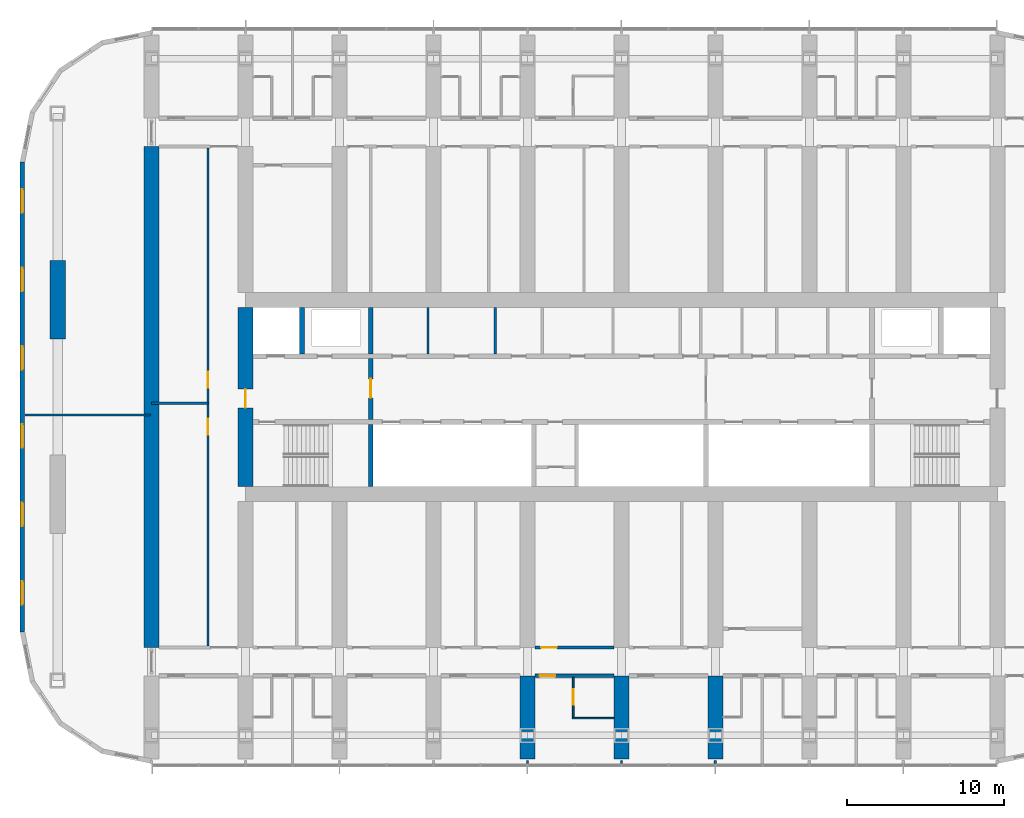
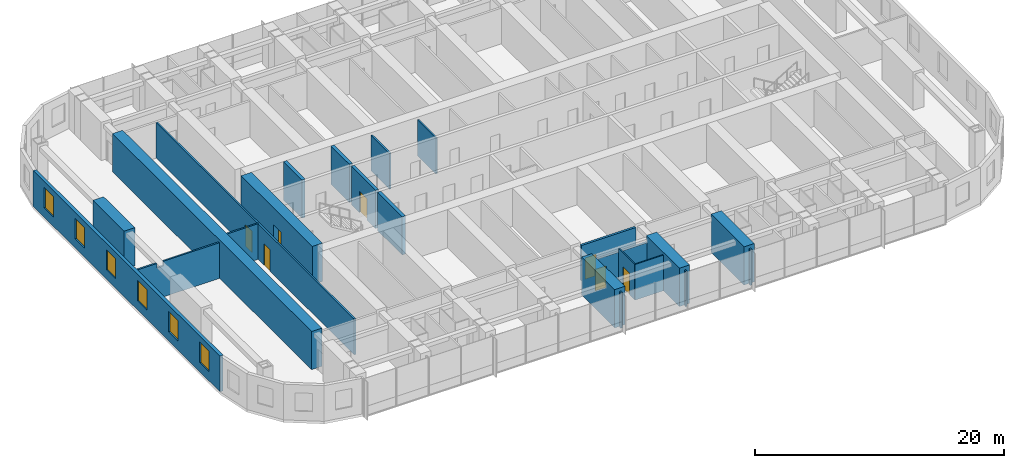
# One storey, part 9 of 21: 23 walls, 7 doors, 6 windows, 13 openings.
"""IFC4 building model written with IfcOpenShell, lengths in metres."""

from ifc_helpers import new_model, si_unit, direction, frame, frame_2d, origin, place, context, subcontext, project, spatial, polyline, rectangle, outline, extrude, material, layer, layer_set, type_object, element, fill, save


model = new_model("IFC4")

# Units and contexts
model_context = context("Model", 3, precision=1e-05, world=origin(), true_north=direction((0.0, 1.0)))
body_context = subcontext(model_context, "Body", "Model", "MODEL_VIEW")
ifc_project = project(units=[si_unit("LENGTHUNIT", "METRE"), si_unit("AREAUNIT", "SQUARE_METRE"), si_unit("VOLUMEUNIT", "CUBIC_METRE"), si_unit("PLANEANGLEUNIT", "RADIAN"), si_unit("MASSUNIT", "GRAM", prefix="KILO")], contexts=[model_context])

# Site, building, storey
site_placement = place(None, origin())
site = spatial("IfcSite", under=ifc_project, at=site_placement, CompositionType="ELEMENT")
building_placement = place(site_placement, origin())
building = spatial("IfcBuilding", under=site, at=building_placement, Name="Orbita Commons", CompositionType="ELEMENT")
storey_placement = place(building_placement, frame((0.0, 0.0, 125.64990234375)))
storey = spatial("IfcBuildingStorey", under=building, at=storey_placement, Name="L31", CompositionType="ELEMENT", Elevation=125.64990234375)

# Wall
ifc_material_1 = material(Name="Concrete C50/60", Category="concrete")
ifc_layer_1 = layer(ifc_material_1, 0.300048828125)
ifc_layer_set_1 = layer_set([ifc_layer_1], Name="Concrete C50/60")
wall_type_1 = type_object("IfcWallType", Name="Core inner wall 300 C50/60", PredefinedType="SHEAR", material=ifc_layer_set_1)
wall_1_placement = place(storey_placement, frame((26.0, 26.27490234375, 0.0), z_axis=(0.0, 0.0, 1.0), x_axis=(0.0, 1.0, 0.0)))
element("IfcWall", 1, at=wall_1_placement, inside=storey, type_object=wall_type_1, Name="Stair S1 wall L31", PredefinedType="SHEAR", context=body_context, shape_type="SweptSolid", body=[
    extrude(rectangle(XDim=3.97509765625, YDim=0.300048828125, at=frame_2d((1.987548828125, 0.0))), origin(), (0.0, 0.0, 1.0), 3.75),
])

# Wall, opening, door
wall_2_placement = place(storey_placement, frame((26.0, 30.550048828125, 0.0), z_axis=(0.0, 0.0, 1.0), x_axis=(0.0, 1.0, 0.0)))
wall_2 = element("IfcWall", 2, at=wall_2_placement, inside=storey, type_object=wall_type_1, Name="Firefighting lobby wall west L31", PredefinedType="SHEAR", context=body_context, shape_type="SweptSolid", body=[
    extrude(rectangle(XDim=3.89990234375, YDim=0.300048828125, at=frame_2d((1.949951171875, 0.0))), origin(), (0.0, 0.0, 1.0), 3.75),
])
opening_1_placement = place(wall_2_placement, frame((1.39990234375, 0.0, 0.0)))
opening_1 = element("IfcOpeningElement", 3, at=opening_1_placement, cuts=wall_2, Name="Opening D04", PredefinedType="OPENING", context=body_context, shape_type="SweptSolid", body=[
    extrude(rectangle(XDim=1.199951171875, YDim=2.10009765625, at=frame_2d((0.60009765625, 1.050048828125))), frame((0.0, 0.159912109375, 0.0), z_axis=(0.0, -1.0, 0.0), x_axis=(1.0, 0.0, 0.0)), (0.0, 0.0, 1.0), 0.320068359375),
])
ifc_material_2 = material(Name="Steel-faced fire door leaf", Category="steel")
door_type_1 = type_object("IfcDoorType", Name="Service door 20 min 1200x2100", OperationType="SINGLE_SWING_LEFT", PredefinedType="DOOR", material=ifc_material_2)
door_1_placement = place(opening_1_placement, origin())
door_1 = element("IfcDoor", 4, at=door_1_placement, inside=storey, type_object=door_type_1, Name="Lift lobby door west", OperationType="SINGLE_SWING_LEFT", OverallHeight=2.10009765625, OverallWidth=1.199951171875, PredefinedType="DOOR", context=body_context, shape_type="SweptSolid", body=[
    extrude(rectangle(XDim=1.199951171875, YDim=2.10009765625, at=frame_2d((0.60009765625, 1.050048828125))), frame((0.0, 0.02490234375, 0.0), z_axis=(0.0, -1.0, 0.0), x_axis=(1.0, 0.0, 0.0)), (0.0, 0.0, 1.0), 0.050048828125),
])
fill(opening_1, door_1)

# Walls
for number, where, z_axis, x_axis, name in (
    (5, (21.60009765625, 34.75, 0.0), (0.0, 0.0, 1.0), (0.0, 1.0, 0.0), "Firefighting lift FL1 shaft wall L31"),
    (6, (26.0, 34.75, 0.0), (0.0, 0.0, 1.0), (0.0, 1.0, 0.0), "Riser wall west L31"),
):
    element("IfcWall", number, at=place(storey_placement, frame(where, z_axis=z_axis, x_axis=x_axis)), inside=storey, type_object=wall_type_1, Name=name, PredefinedType="SHEAR", context=body_context, shape_type="SweptSolid", body=[
        extrude(rectangle(XDim=2.97509765625, YDim=0.300048828125, at=frame_2d((1.487548828125, 0.0))), origin(), (0.0, 0.0, 1.0), 3.75),
    ])
ifc_material_3 = material(Name="Concrete blockwork", Category="masonry")
ifc_layer_2 = layer(ifc_material_3, 0.14990234375)
ifc_layer_set_2 = layer_set([ifc_layer_2], Name="Concrete blockwork")
wall_type_2 = type_object("IfcWallType", Name="Core partition 150 blockwork", PredefinedType="SOLIDWALL", material=ifc_layer_set_2)
for number, where, z_axis, x_axis, name in (
    (7, (29.65087890625, 34.75, 0.0), (0.0, 0.0, 1.0), (0.0, 1.0, 0.0), "Core partition 150 blockwork L31"),
    (8, (33.9462890625, 34.75, 0.0), (0.0, 0.0, 1.0), (0.0, 1.0, 0.0), "Core partition 150 blockwork L31"),
):
    element("IfcWall", number, at=place(storey_placement, frame(where, z_axis=z_axis, x_axis=x_axis)), inside=storey, type_object=wall_type_2, Name=name, PredefinedType="SOLIDWALL", context=body_context, shape_type="SweptSolid", body=[
        extrude(rectangle(XDim=2.97509765625, YDim=0.14990234375, at=frame_2d((1.487548828125, 0.0))), origin(), (0.0, 0.0, 1.0), 3.5),
    ])

# Wall, opening, door
ifc_material_4 = material(Name="Concrete C50/60", Category="concrete")
ifc_layer_3 = layer(ifc_material_4, 0.949951171875)
ifc_layer_set_3 = layer_set([ifc_layer_3], Name="Concrete C50/60")
wall_type_3 = type_object("IfcWallType", Name="Core wall 950 C50/60", PredefinedType="SHEAR", material=ifc_layer_set_3)
wall_3_placement = place(storey_placement, frame((18.0, 26.27490234375, 0.0), z_axis=(0.0, 0.0, 1.0), x_axis=(0.0, 1.0, 0.0)))
wall_3 = element("IfcWall", 9, at=wall_3_placement, inside=storey, type_object=wall_type_3, Name="Core end wall west L31", PredefinedType="SHEAR", context=body_context, shape_type="SweptSolid", body=[
    extrude(rectangle(XDim=11.4501953125, YDim=0.949951171875, at=frame_2d((5.72509765625, 0.0))), origin(), (0.0, 0.0, 1.0), 3.75),
])
opening_2_placement = place(wall_3_placement, frame((5.02490234375, 0.0, 0.0)))
opening_2 = element("IfcOpeningElement", 10, at=opening_2_placement, cuts=wall_3, Name="Opening D01", PredefinedType="OPENING", context=body_context, shape_type="SweptSolid", body=[
    extrude(rectangle(XDim=1.199951171875, YDim=2.10009765625, at=frame_2d((0.60009765625, 1.050048828125))), frame((0.0, 0.48486328125, 0.0), z_axis=(0.0, -1.0, 0.0), x_axis=(1.0, 0.0, 0.0)), (0.0, 0.0, 1.0), 0.969970703125),
])
ifc_material_5 = material(Name="Steel-faced fire door leaf", Category="steel")
door_type_2 = type_object("IfcDoorType", Name="Fire door 90 min 1200x2100", OperationType="SINGLE_SWING_LEFT", PredefinedType="DOOR", material=ifc_material_5)
door_2_placement = place(opening_2_placement, origin())
door_2 = element("IfcDoor", 11, at=door_2_placement, inside=storey, type_object=door_type_2, Name="Firefighting lobby west door", OperationType="SINGLE_SWING_LEFT", OverallHeight=2.10009765625, OverallWidth=1.199951171875, PredefinedType="DOOR", context=body_context, shape_type="SweptSolid", body=[
    extrude(rectangle(XDim=1.199951171875, YDim=2.10009765625, at=frame_2d((0.60009765625, 1.050048828125))), frame((0.0, 0.02490234375, 0.0), z_axis=(0.0, -1.0, 0.0), x_axis=(1.0, 0.0, 0.0)), (0.0, 0.0, 1.0), 0.050048828125),
])
fill(opening_2, door_2)

ifc_material_6 = material(Name="Concrete blockwork", Category="masonry")
ifc_layer_4 = layer(ifc_material_6, 0.199951171875)
ifc_layer_set_4 = layer_set([ifc_layer_4], Name="Concrete blockwork")
wall_type_4 = type_object("IfcWallType", Name="Corridor wall 200 blockwork", PredefinedType="SOLIDWALL", material=ifc_layer_set_4)
wall_4_placement = place(storey_placement, frame((36.47509765625, 14.199951171875, 0.0), z_axis=(0.0, 0.0, 1.0), x_axis=(1.0, 0.0, 0.0)))
wall_4 = element("IfcWall", 12, at=wall_4_placement, inside=storey, type_object=wall_type_4, Name="Corridor wall 200 blockwork L31", PredefinedType="SOLIDWALL", context=body_context, shape_type="SweptSolid", body=[
    extrude(outline(polyline([(0.0, 0.0), (5.0498046875, 0.0), (5.050048828125, 3.10009765625), (0.0, 3.10009765625), (0.0, 0.0)])), frame((0.0, 0.10009765625, 0.0), z_axis=(0.0, -1.0, 0.0), x_axis=(1.0, 0.0, 0.0)), (0.0, 0.0, 1.0), 0.199951171875),
])
opening_3_placement = place(wall_4_placement, frame((0.300048828125, 0.0, 0.0)))
opening_3 = element("IfcOpeningElement", 13, at=opening_3_placement, cuts=wall_4, Name="Opening D06", PredefinedType="OPENING", context=body_context, shape_type="SweptSolid", body=[
    extrude(rectangle(XDim=1.0, YDim=2.10009765625, at=frame_2d((0.5, 1.050048828125))), frame((0.0, 0.10986328125, 0.0), z_axis=(0.0, -1.0, 0.0), x_axis=(1.0, 0.0, 0.0)), (0.0, 0.0, 1.0), 0.219970703125),
])
ifc_material_7 = material(Name="Steel-faced fire door leaf", Category="steel")
door_type_3 = type_object("IfcDoorType", Name="Corridor door 20 min 1000x2100", OperationType="SINGLE_SWING_LEFT", PredefinedType="DOOR", material=ifc_material_7)
door_3_placement = place(opening_3_placement, origin())
door_3 = element("IfcDoor", 14, at=door_3_placement, inside=storey, type_object=door_type_3, Name="Accessible bedroom L31-S08 door", OperationType="SINGLE_SWING_LEFT", OverallHeight=2.10009765625, OverallWidth=1.0, PredefinedType="DOOR", context=body_context, shape_type="SweptSolid", body=[
    extrude(rectangle(XDim=1.0, YDim=2.10009765625, at=frame_2d((0.5, 1.050048828125))), frame((0.0, 0.02490234375, 0.0), z_axis=(0.0, -1.0, 0.0), x_axis=(1.0, 0.0, 0.0)), (0.0, 0.0, 1.0), 0.050048828125),
])
fill(opening_3, door_3)

ifc_material_8 = material(Name="Hollow concrete block 200", Category="concrete")
ifc_layer_5 = layer(ifc_material_8, 0.199951171875)
ifc_layer_set_5 = layer_set([ifc_layer_5], Name="Hollow concrete block 200")
wall_type_5 = type_object("IfcWallType", Name="Corridor wall 200 hollow concrete block", PredefinedType="SOLIDWALL", material=ifc_layer_set_5)
wall_5_placement = place(storey_placement, frame((36.47509765625, 16.0, 0.0), z_axis=(0.0, 0.0, 1.0), x_axis=(1.0, 0.0, 0.0)))
wall_5 = element("IfcWall", 15, at=wall_5_placement, inside=storey, type_object=wall_type_5, Name="Corridor wall 200 hollow concrete block L31", PredefinedType="SOLIDWALL", context=body_context, shape_type="SweptSolid", body=[
    extrude(rectangle(XDim=5.0498046875, YDim=0.199951171875, at=frame_2d((2.52490234375, 0.0))), origin(), (0.0, 0.0, 1.0), 3.5),
])
opening_4_placement = place(wall_5_placement, frame((0.39990234375, 0.0, 0.0)))
opening_4 = element("IfcOpeningElement", 16, at=opening_4_placement, cuts=wall_5, Name="Opening D06", PredefinedType="OPENING", context=body_context, shape_type="SweptSolid", body=[
    extrude(rectangle(XDim=1.0, YDim=2.10009765625, at=frame_2d((0.5, 1.050048828125))), frame((0.0, 0.10986328125, 0.0), z_axis=(0.0, -1.0, 0.0), x_axis=(1.0, 0.0, 0.0)), (0.0, 0.0, 1.0), 0.219970703125),
])
door_4_placement = place(opening_4_placement, origin())
door_4 = element("IfcDoor", 17, at=door_4_placement, inside=storey, type_object=door_type_3, Name="Ventilation plant room south L31-BDS36 door", OperationType="SINGLE_SWING_LEFT", OverallHeight=2.10009765625, OverallWidth=1.0, PredefinedType="DOOR", context=body_context, shape_type="SweptSolid", body=[
    extrude(rectangle(XDim=1.0, YDim=2.10009765625, at=frame_2d((0.5, 1.050048828125))), frame((0.0, 0.02490234375, 0.0), z_axis=(0.0, -1.0, 0.0), x_axis=(1.0, 0.0, 0.0)), (0.0, 0.0, 1.0), 0.050048828125),
])
fill(opening_4, door_4)

# Walls
ifc_material_9 = material(Name="Concrete C50/60", Category="concrete")
ifc_layer_6 = layer(ifc_material_9, 0.949951171875)
ifc_layer_set_6 = layer_set([ifc_layer_6], Name="Concrete C50/60")
wall_type_6 = type_object("IfcWallType", Name="Cross wall 950 C50/60", PredefinedType="SHEAR", material=ifc_layer_set_6)
wall_6_placement = place(storey_placement, frame((12.0, 16.0, 0.0), z_axis=(0.0, 0.0, 1.0), x_axis=(0.0, 1.0, 0.0)))
element("IfcWall", 18, at=wall_6_placement, inside=storey, type_object=wall_type_6, Name="Cross wall 3 inner L31", PredefinedType="SHEAR", context=body_context, shape_type="SweptSolid", body=[
    extrude(rectangle(XDim=32.0, YDim=0.949951171875, at=frame_2d((16.0, 0.0))), origin(), (0.0, 0.0, 1.0), 3.75),
])
for number, where, z_axis, x_axis, name in (
    (19, (36.0, 8.89990234375, 0.0), (0.0, 0.0, 1.0), (0.0, 1.0, 0.0), "Cross wall 7 south outer L31"),
    (20, (42.0, 8.89990234375, 0.0), (0.0, 0.0, 1.0), (0.0, 1.0, 0.0), "Cross wall 8 south outer L31"),
    (21, (48.0, 8.89990234375, 0.0), (0.0, 0.0, 1.0), (0.0, 1.0, 0.0), "Cross wall 9 south outer L31"),
):
    element("IfcWall", number, at=place(storey_placement, frame(where, z_axis=z_axis, x_axis=x_axis)), inside=storey, type_object=wall_type_6, Name=name, PredefinedType="SHEAR", context=body_context, shape_type="SweptSolid", body=[
        extrude(rectangle(XDim=5.300048828125, YDim=0.949951171875, at=frame_2d((2.64990234375, 0.0))), origin(), (0.0, 0.0, 1.0), 3.75),
    ])
ifc_material_10 = material(Name="Moisture-resistant plasterboard on steel studs", Category="steel")
ifc_layer_7 = layer(ifc_material_10, 0.10009765625)
ifc_layer_set_7 = layer_set([ifc_layer_7], Name="Moisture-resistant plasterboard on steel studs")
wall_type_7 = type_object("IfcWallType", Name="En-suite partition 100", PredefinedType="PARTITIONING", material=ifc_layer_set_7)
wall_7_placement = place(storey_placement, frame((38.875, 11.5, 0.0), z_axis=(0.0, 0.0, 1.0), x_axis=(1.0, 0.0, 0.0)))
element("IfcWall", 22, at=wall_7_placement, inside=storey, type_object=wall_type_7, Name="En-suite partition 100 L31", PredefinedType="PARTITIONING", context=body_context, shape_type="SweptSolid", body=[
    extrude(rectangle(XDim=2.64990234375, YDim=0.10009765625, at=frame_2d((1.324951171875, 0.0))), origin(), (0.0, 0.0, 1.0), 3.5),
])

# Wall, opening, door
wall_8_placement = place(storey_placement, frame((38.925048828125, 11.550048828125, 0.0), z_axis=(0.0, 0.0, 1.0), x_axis=(0.0, 1.0, 0.0)))
wall_8 = element("IfcWall", 23, at=wall_8_placement, inside=storey, type_object=wall_type_7, Name="En-suite partition 100 L31", PredefinedType="PARTITIONING", context=body_context, shape_type="SweptSolid", body=[
    extrude(outline(polyline([(0.0, 0.0), (2.550048828125, 0.0), (2.550048828125, 3.10009765625), (2.501953125, 3.10009765625), (2.5, 3.5), (0.0, 3.5), (0.0, 0.0)])), frame((0.0, 0.050048828125, 0.0), z_axis=(0.0, -1.0, 0.0), x_axis=(1.0, 0.0, 0.0)), (0.0, 0.0, 1.0), 0.10009765625),
])
opening_5_placement = place(wall_8_placement, frame((0.800048828125, 0.0, 0.0)))
opening_5 = element("IfcOpeningElement", 24, at=opening_5_placement, cuts=wall_8, Name="Opening D13", PredefinedType="OPENING", context=body_context, shape_type="SweptSolid", body=[
    extrude(rectangle(XDim=1.0, YDim=2.10009765625, at=frame_2d((0.5, 1.050048828125))), frame((0.0, 0.06005859375, 0.0), z_axis=(0.0, -1.0, 0.0), x_axis=(1.0, 0.0, 0.0)), (0.0, 0.0, 1.0), 0.1201171875),
])
ifc_material_11 = material(Name="Laminated timber door leaf", Category="wood")
door_type_4 = type_object("IfcDoorType", Name="En-suite door 1000x2100", OperationType="SINGLE_SWING_RIGHT", PredefinedType="DOOR", material=ifc_material_11)
door_5_placement = place(opening_5_placement, origin())
door_5 = element("IfcDoor", 25, at=door_5_placement, inside=storey, type_object=door_type_4, Name="Accessible shower room L31-S08 door", OperationType="SINGLE_SWING_RIGHT", OverallHeight=2.10009765625, OverallWidth=1.0, PredefinedType="DOOR", context=body_context, shape_type="SweptSolid", body=[
    extrude(rectangle(XDim=1.0, YDim=2.10009765625, at=frame_2d((0.5, 1.050048828125))), frame((0.0, 0.02490234375, 0.0), z_axis=(0.0, -1.0, 0.0), x_axis=(1.0, 0.0, 0.0)), (0.0, 0.0, 1.0), 0.050048828125),
])
fill(opening_5, door_5)

# Wall
ifc_material_12 = material(Name="Concrete C50/60", Category="concrete")
ifc_layer_8 = layer(ifc_material_12, 1.0)
ifc_layer_set_8 = layer_set([ifc_layer_8], Name="Concrete C50/60")
wall_type_8 = type_object("IfcWallType", Name="End pier 1000x5000 C50/60", PredefinedType="SHEAR", material=ifc_layer_set_8)
wall_9_placement = place(storey_placement, frame((6.0, 35.699951171875, 0.0), z_axis=(0.0, 0.0, 1.0), x_axis=(0.0, 1.0, 0.0)))
element("IfcWall", 26, at=wall_9_placement, inside=storey, type_object=wall_type_8, Name="End pier 2/D L31", PredefinedType="SHEAR", context=body_context, shape_type="SweptSolid", body=[
    extrude(rectangle(XDim=5.0, YDim=1.0, at=frame_2d((2.5, 0.0))), origin(), (0.0, 0.0, 1.0), 3.75),
])

# Wall, openings, doors
ifc_material_13 = material(Name="Gypsum plasterboard on steel studs", Category="steel")
ifc_layer_9 = layer(ifc_material_13, 0.14990234375)
ifc_layer_set_9 = layer_set([ifc_layer_9], Name="Gypsum plasterboard on steel studs")
wall_type_9 = type_object("IfcWallType", Name="Partition 150 plasterboard", PredefinedType="PARTITIONING", material=ifc_layer_set_9)
wall_10_placement = place(storey_placement, frame((15.60009765625, 16.10009765625, 0.0), z_axis=(0.0, 0.0, 1.0), x_axis=(0.0, 1.0, 0.0)))
wall_10 = element("IfcWall", 27, at=wall_10_placement, inside=storey, type_object=wall_type_9, Name="Partition 150 plasterboard L31", PredefinedType="PARTITIONING", context=body_context, shape_type="SweptSolid", body=[
    extrude(rectangle(XDim=31.7998046875, YDim=0.14990234375, at=frame_2d((15.89990234375, 0.0))), origin(), (0.0, 0.0, 1.0), 3.5),
])
opening_6_placement = place(wall_10_placement, frame((13.5, 0.0, 0.0)))
opening_6 = element("IfcOpeningElement", 28, at=opening_6_placement, cuts=wall_10, Name="Opening D06", PredefinedType="OPENING", context=body_context, shape_type="SweptSolid", body=[
    extrude(rectangle(XDim=1.0, YDim=2.10009765625, at=frame_2d((0.5, 1.050048828125))), frame((0.0, 0.0849609375, 0.0), z_axis=(0.0, -1.0, 0.0), x_axis=(1.0, 0.0, 0.0)), (0.0, 0.0, 1.0), 0.169921875),
])
opening_7_placement = place(wall_10_placement, frame((16.5, 0.0, 0.0)))
opening_7 = element("IfcOpeningElement", 29, at=opening_7_placement, cuts=wall_10, Name="Opening D06", PredefinedType="OPENING", context=body_context, shape_type="SweptSolid", body=[
    extrude(rectangle(XDim=1.0, YDim=2.10009765625, at=frame_2d((0.5, 1.050048828125))), frame((0.0, 0.0849609375, 0.0), z_axis=(0.0, -1.0, 0.0), x_axis=(1.0, 0.0, 0.0)), (0.0, 0.0, 1.0), 0.169921875),
])
door_6_placement = place(opening_6_placement, origin())
door_6 = element("IfcDoor", 30, at=door_6_placement, inside=storey, type_object=door_type_3, Name="Interview room door", OperationType="SINGLE_SWING_LEFT", OverallHeight=2.10009765625, OverallWidth=1.0, PredefinedType="DOOR", context=body_context, shape_type="SweptSolid", body=[
    extrude(rectangle(XDim=1.0, YDim=2.10009765625, at=frame_2d((0.5, 1.050048828125))), frame((0.0, 0.02490234375, 0.0), z_axis=(0.0, -1.0, 0.0), x_axis=(1.0, 0.0, 0.0)), (0.0, 0.0, 1.0), 0.050048828125),
])
fill(opening_6, door_6)
door_7_placement = place(opening_7_placement, origin())
door_7 = element("IfcDoor", 31, at=door_7_placement, inside=storey, type_object=door_type_3, Name="Prayer room door", OperationType="SINGLE_SWING_LEFT", OverallHeight=2.10009765625, OverallWidth=1.0, PredefinedType="DOOR", context=body_context, shape_type="SweptSolid", body=[
    extrude(rectangle(XDim=1.0, YDim=2.10009765625, at=frame_2d((0.5, 1.050048828125))), frame((0.0, 0.02490234375, 0.0), z_axis=(0.0, -1.0, 0.0), x_axis=(1.0, 0.0, 0.0)), (0.0, 0.0, 1.0), 0.050048828125),
])
fill(opening_7, door_7)

# Walls
wall_11_placement = place(storey_placement, frame((12.0, 31.60009765625, 0.0), z_axis=(0.0, 0.0, 1.0), x_axis=(1.0, 0.0, 0.0)))
element("IfcWall", 32, at=wall_11_placement, inside=storey, type_object=wall_type_9, Name="Partition 150 plasterboard L31", PredefinedType="PARTITIONING", context=body_context, shape_type="SweptSolid", body=[
    extrude(rectangle(XDim=3.60009765625, YDim=0.14990234375, at=frame_2d((1.800048828125, 0.0))), origin(), (0.0, 0.0, 1.0), 3.5),
])
wall_12_placement = place(storey_placement, frame((3.905029296875, 30.85009765625, 0.0), z_axis=(0.0, 0.0, 1.0), x_axis=(1.0, 0.0, 0.0)))
element("IfcWall", 33, at=wall_12_placement, inside=storey, type_object=wall_type_9, Name="Partition 150 plasterboard L31", PredefinedType="PARTITIONING", context=body_context, shape_type="SweptSolid", body=[
    extrude(outline(polyline([(0.0, 0.0), (8.02001953125, 0.0), (8.02001953125, 3.5), (2.39697265625, 3.5), (2.39501953125, 3.050048828125), (1.797119140625, 3.050048828125), (1.794921875, 3.5), (0.0, 3.5), (0.0, 0.0)])), frame((0.0, 0.074951171875, 0.0), z_axis=(0.0, -1.0, 0.0), x_axis=(1.0, 0.0, 0.0)), (0.0, 0.0, 1.0), 0.14990234375),
])
for number, where, z_axis, x_axis, name in (
    (34, (36.0, 8.800048828125, 0.0), (0.0, 0.0, 1.0), (0.0, -1.0, 0.0), "Partition 150 plasterboard L31"),
    (35, (42.0, 8.800048828125, 0.0), (0.0, 0.0, 1.0), (0.0, -1.0, 0.0), "Partition 150 plasterboard L31"),
    (36, (48.0, 8.800048828125, 0.0), (0.0, 0.0, 1.0), (0.0, -1.0, 0.0), "Partition 150 plasterboard L31"),
):
    element("IfcWall", number, at=place(storey_placement, frame(where, z_axis=z_axis, x_axis=x_axis)), inside=storey, type_object=wall_type_9, Name=name, PredefinedType="PARTITIONING", context=body_context, shape_type="SweptSolid", body=[
        extrude(rectangle(XDim=0.18994140625, YDim=0.14990234375, at=frame_2d((0.094970703125, 0.0))), origin(), (0.0, 0.0, 1.0), 3.5),
    ])

# Wall, openings, windows
ifc_material_14 = material(Name="Precast concrete C40/50, white board-marked finish", Category="concrete")
ifc_layer_10 = layer(ifc_material_14, 0.300048828125)
ifc_layer_set_10 = layer_set([ifc_layer_10], Name="Precast concrete C40/50, white board-marked finish")
wall_type_10 = type_object("IfcWallType", Name="Precast concrete end shield 300", PredefinedType="SOLIDWALL", material=ifc_layer_set_10)
wall_13_placement = place(storey_placement, frame((3.75, 47.0, 0.0), z_axis=(0.0, 0.0, 1.0), x_axis=(0.0, -1.0, 0.0)))
wall_13 = element("IfcWall", 37, at=wall_13_placement, inside=storey, type_object=wall_type_10, Name="End shield W L31", PredefinedType="SOLIDWALL", context=body_context, shape_type="SweptSolid", body=[
    extrude(outline(polyline([(-0.014892578125, -0.14990234375), (30.014892578125, -0.14990234375), (29.985107421875, 0.14990234375), (0.014892578125, 0.14990234375), (-0.014892578125, -0.14990234375)])), origin(), (0.0, 0.0, 1.0), 3.5),
])
opening_8_placement = place(wall_13_placement, frame((1.75, 0.0, 0.89990234375)))
opening_8 = element("IfcOpeningElement", 38, at=opening_8_placement, cuts=wall_13, Name="Opening W01", PredefinedType="OPENING", context=body_context, shape_type="SweptSolid", body=[
    extrude(rectangle(XDim=1.5, YDim=2.0, at=frame_2d((0.75, 1.0))), frame((0.0, 0.159912109375, 0.0), z_axis=(0.0, -1.0, 0.0), x_axis=(1.0, 0.0, 0.0)), (0.0, 0.0, 1.0), 0.320068359375),
])
opening_9_placement = place(wall_13_placement, frame((6.75, 0.0, 0.89990234375)))
opening_9 = element("IfcOpeningElement", 39, at=opening_9_placement, cuts=wall_13, Name="Opening W01", PredefinedType="OPENING", context=body_context, shape_type="SweptSolid", body=[
    extrude(rectangle(XDim=1.5, YDim=2.0, at=frame_2d((0.75, 1.0))), frame((0.0, 0.159912109375, 0.0), z_axis=(0.0, -1.0, 0.0), x_axis=(1.0, 0.0, 0.0)), (0.0, 0.0, 1.0), 0.320068359375),
])
opening_10_placement = place(wall_13_placement, frame((11.75, 0.0, 0.89990234375)))
opening_10 = element("IfcOpeningElement", 40, at=opening_10_placement, cuts=wall_13, Name="Opening W01", PredefinedType="OPENING", context=body_context, shape_type="SweptSolid", body=[
    extrude(rectangle(XDim=1.5, YDim=2.0, at=frame_2d((0.75, 1.0))), frame((0.0, 0.159912109375, 0.0), z_axis=(0.0, -1.0, 0.0), x_axis=(1.0, 0.0, 0.0)), (0.0, 0.0, 1.0), 0.320068359375),
])
opening_11_placement = place(wall_13_placement, frame((16.75, 0.0, 0.89990234375)))
opening_11 = element("IfcOpeningElement", 41, at=opening_11_placement, cuts=wall_13, Name="Opening W01", PredefinedType="OPENING", context=body_context, shape_type="SweptSolid", body=[
    extrude(rectangle(XDim=1.5, YDim=2.0, at=frame_2d((0.75, 1.0))), frame((0.0, 0.159912109375, 0.0), z_axis=(0.0, -1.0, 0.0), x_axis=(1.0, 0.0, 0.0)), (0.0, 0.0, 1.0), 0.320068359375),
])
opening_12_placement = place(wall_13_placement, frame((21.75, 0.0, 0.89990234375)))
opening_12 = element("IfcOpeningElement", 42, at=opening_12_placement, cuts=wall_13, Name="Opening W01", PredefinedType="OPENING", context=body_context, shape_type="SweptSolid", body=[
    extrude(rectangle(XDim=1.5, YDim=2.0, at=frame_2d((0.75, 1.0))), frame((0.0, 0.159912109375, 0.0), z_axis=(0.0, -1.0, 0.0), x_axis=(1.0, 0.0, 0.0)), (0.0, 0.0, 1.0), 0.320068359375),
])
opening_13_placement = place(wall_13_placement, frame((26.75, 0.0, 0.89990234375)))
opening_13 = element("IfcOpeningElement", 43, at=opening_13_placement, cuts=wall_13, Name="Opening W01", PredefinedType="OPENING", context=body_context, shape_type="SweptSolid", body=[
    extrude(rectangle(XDim=1.5, YDim=2.0, at=frame_2d((0.75, 1.0))), frame((0.0, 0.159912109375, 0.0), z_axis=(0.0, -1.0, 0.0), x_axis=(1.0, 0.0, 0.0)), (0.0, 0.0, 1.0), 0.320068359375),
])
ifc_material_15 = material(Name="Aluminium frame, clear double glazing", Category="aluminium")
window_type = type_object("IfcWindowType", Name="Deep-set window 1500x2000", PartitioningType="SINGLE_PANEL", PredefinedType="WINDOW", material=ifc_material_15)
window_1_placement = place(opening_8_placement, origin())
window_1 = element("IfcWindow", 44, at=window_1_placement, inside=storey, type_object=window_type, Name="Window L31-W 1", OverallHeight=2.0, OverallWidth=1.5, PartitioningType="SINGLE_PANEL", PredefinedType="WINDOW", context=body_context, shape_type="SweptSolid", body=[
    extrude(rectangle(XDim=1.5, YDim=2.0, at=frame_2d((0.75, 1.0))), frame((0.0, 0.030029296875, 0.0), z_axis=(0.0, -1.0, 0.0), x_axis=(1.0, 0.0, 0.0)), (0.0, 0.0, 1.0), 0.06005859375),
])
fill(opening_8, window_1)
window_2_placement = place(opening_9_placement, origin())
window_2 = element("IfcWindow", 45, at=window_2_placement, inside=storey, type_object=window_type, Name="Window L31-W 2", OverallHeight=2.0, OverallWidth=1.5, PartitioningType="SINGLE_PANEL", PredefinedType="WINDOW", context=body_context, shape_type="SweptSolid", body=[
    extrude(rectangle(XDim=1.5, YDim=2.0, at=frame_2d((0.75, 1.0))), frame((0.0, 0.030029296875, 0.0), z_axis=(0.0, -1.0, 0.0), x_axis=(1.0, 0.0, 0.0)), (0.0, 0.0, 1.0), 0.06005859375),
])
fill(opening_9, window_2)
window_3_placement = place(opening_10_placement, origin())
window_3 = element("IfcWindow", 46, at=window_3_placement, inside=storey, type_object=window_type, Name="Window L31-W 3", OverallHeight=2.0, OverallWidth=1.5, PartitioningType="SINGLE_PANEL", PredefinedType="WINDOW", context=body_context, shape_type="SweptSolid", body=[
    extrude(rectangle(XDim=1.5, YDim=2.0, at=frame_2d((0.75, 1.0))), frame((0.0, 0.030029296875, 0.0), z_axis=(0.0, -1.0, 0.0), x_axis=(1.0, 0.0, 0.0)), (0.0, 0.0, 1.0), 0.06005859375),
])
fill(opening_10, window_3)
window_4_placement = place(opening_11_placement, origin())
window_4 = element("IfcWindow", 47, at=window_4_placement, inside=storey, type_object=window_type, Name="Window L31-W 4", OverallHeight=2.0, OverallWidth=1.5, PartitioningType="SINGLE_PANEL", PredefinedType="WINDOW", context=body_context, shape_type="SweptSolid", body=[
    extrude(rectangle(XDim=1.5, YDim=2.0, at=frame_2d((0.75, 1.0))), frame((0.0, 0.030029296875, 0.0), z_axis=(0.0, -1.0, 0.0), x_axis=(1.0, 0.0, 0.0)), (0.0, 0.0, 1.0), 0.06005859375),
])
fill(opening_11, window_4)
window_5_placement = place(opening_12_placement, origin())
window_5 = element("IfcWindow", 48, at=window_5_placement, inside=storey, type_object=window_type, Name="Window L31-W 5", OverallHeight=2.0, OverallWidth=1.5, PartitioningType="SINGLE_PANEL", PredefinedType="WINDOW", context=body_context, shape_type="SweptSolid", body=[
    extrude(rectangle(XDim=1.5, YDim=2.0, at=frame_2d((0.75, 1.0))), frame((0.0, 0.030029296875, 0.0), z_axis=(0.0, -1.0, 0.0), x_axis=(1.0, 0.0, 0.0)), (0.0, 0.0, 1.0), 0.06005859375),
])
fill(opening_12, window_5)
window_6_placement = place(opening_13_placement, origin())
window_6 = element("IfcWindow", 49, at=window_6_placement, inside=storey, type_object=window_type, Name="Window L31-W 6", OverallHeight=2.0, OverallWidth=1.5, PartitioningType="SINGLE_PANEL", PredefinedType="WINDOW", context=body_context, shape_type="SweptSolid", body=[
    extrude(rectangle(XDim=1.5, YDim=2.0, at=frame_2d((0.75, 1.0))), frame((0.0, 0.030029296875, 0.0), z_axis=(0.0, -1.0, 0.0), x_axis=(1.0, 0.0, 0.0)), (0.0, 0.0, 1.0), 0.06005859375),
])
fill(opening_13, window_6)

save(model, "model.ifc")
